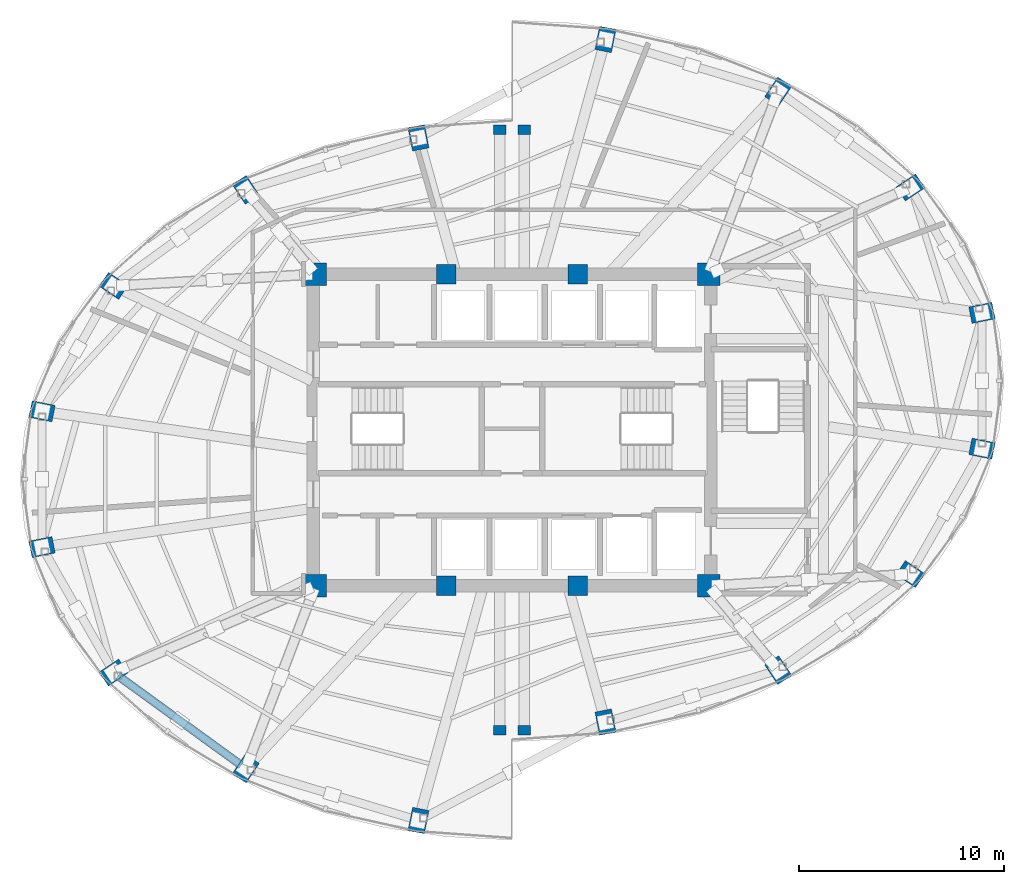
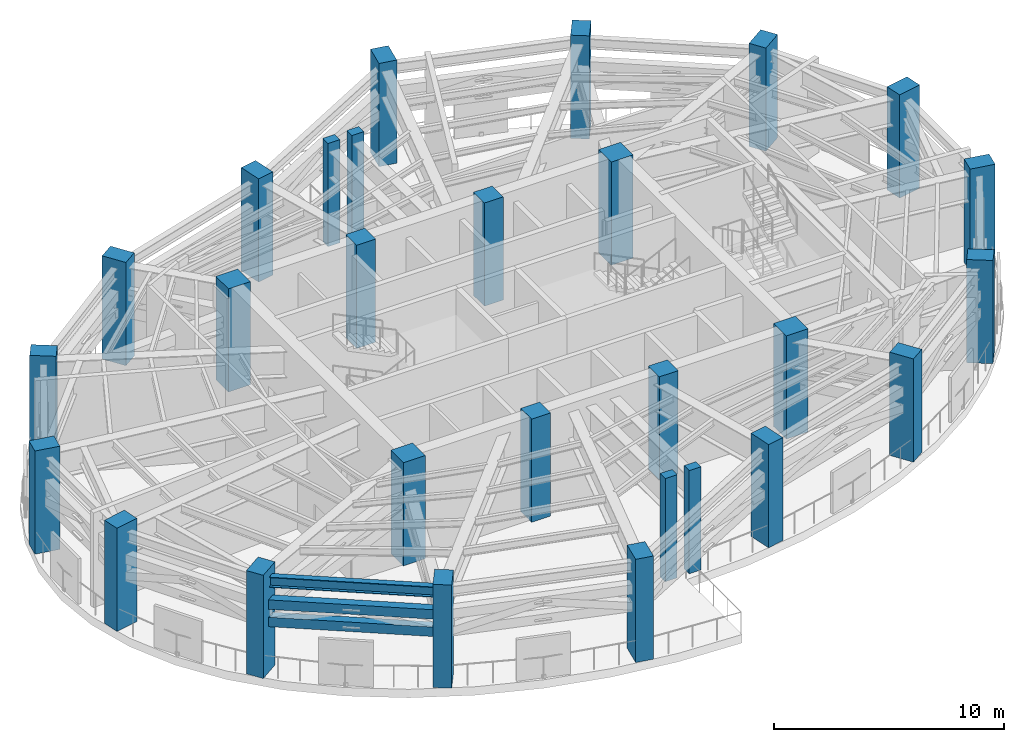
# One storey, part 1 of 12: 28 columns, 2 members, 1 beam.
"""IFC4 building model written with IfcOpenShell, lengths in metres."""

from ifc_helpers import new_model, si_unit, direction, frame, origin, origin_2d, place, context, subcontext, project, spatial, rectangle, hollow_rectangle, i_section, extrude, material, material_profile, profile_set, type_object, element, save


model = new_model("IFC4")

# Units and contexts
model_context = context("Model", 3, precision=1e-05, world=origin(), true_north=direction((0.0, 1.0)))
body_context = subcontext(model_context, "Body", "Model", "MODEL_VIEW")
ifc_project = project(units=[si_unit("LENGTHUNIT", "METRE"), si_unit("AREAUNIT", "SQUARE_METRE"), si_unit("VOLUMEUNIT", "CUBIC_METRE"), si_unit("PLANEANGLEUNIT", "RADIAN"), si_unit("MASSUNIT", "GRAM", prefix="KILO")], contexts=[model_context])

# Site, building, storey
site_placement = place(None, origin())
site = spatial("IfcSite", under=ifc_project, at=site_placement, CompositionType="ELEMENT")
building_placement = place(site_placement, origin())
building = spatial("IfcBuilding", under=site, at=building_placement, Name="Lazwardi Medical Tower", CompositionType="ELEMENT")
storey_placement = place(building_placement, frame((0.0, 0.0, 189.360107421875)))
storey = spatial("IfcBuildingStorey", under=building, at=storey_placement, Name="L49", CompositionType="ELEMENT", Elevation=189.360107421875)

# Columns
ifc_material_1 = material(Name="Concrete C80/95", Category="concrete")
ifc_material_profile_1 = material_profile(ifc_material_1, rectangle(XDim=1.10009765625, YDim=1.10009765625, at=origin_2d()), Name="RC 1100x1100")
ifc_profile_set_1 = profile_set([ifc_material_profile_1], Name="Concrete C80/95")
column_type_1 = type_object("IfcColumnType", Name="COL-CC-L", PredefinedType="COLUMN", material=ifc_profile_set_1)
for number, where, z_axis, x_axis, name in (
    (1, (26.39990234375, 20.39990234375, 0.0), (0.0, 0.0, 1.0), (1.0, 0.0, 0.0), "Core column CC-01 CC1 L49"),
    (2, (45.60009765625, 20.39990234375, 0.0), (0.0, 0.0, 1.0), (1.0, 0.0, 0.0), "Core column CC-01 CC4 L49"),
    (3, (45.60009765625, 35.60009765625, 0.0), (0.0, 0.0, 1.0), (1.0, 0.0, 0.0), "Core column CC-01 CC5 L49"),
    (4, (26.39990234375, 35.60009765625, 0.0), (0.0, 0.0, 1.0), (1.0, 0.0, 0.0), "Core column CC-01 CC8 L49"),
):
    element("IfcColumn", number, at=place(storey_placement, frame(where, z_axis=z_axis, x_axis=x_axis)), inside=storey, type_object=column_type_1, Name=name, PredefinedType="COLUMN", context=body_context, shape_type="SweptSolid", body=[
        extrude(rectangle(XDim=1.10009765625, YDim=1.10009765625, at=origin_2d()), origin(), (0.0, 0.0, 1.0), 5.471923828125),
    ])
ifc_material_2 = material(Name="Concrete C70/85", Category="concrete")
ifc_material_profile_2 = material_profile(ifc_material_2, rectangle(XDim=0.949951171875, YDim=0.949951171875, at=origin_2d()), Name="RC 950x950")
ifc_profile_set_2 = profile_set([ifc_material_profile_2], Name="Concrete C70/85")
column_type_2 = type_object("IfcColumnType", Name="COL-CC-M", PredefinedType="COLUMN", material=ifc_profile_set_2)
for number, where, z_axis, x_axis, name in (
    (5, (32.800048828125, 20.39990234375, 0.0), (0.0, 0.0, 1.0), (1.0, 0.0, 0.0), "Core column CC-02 CC2 L49"),
    (6, (39.199951171875, 20.39990234375, 0.0), (0.0, 0.0, 1.0), (1.0, 0.0, 0.0), "Core column CC-02 CC3 L49"),
    (7, (39.199951171875, 35.60009765625, 0.0), (0.0, 0.0, 1.0), (1.0, 0.0, 0.0), "Core column CC-02 CC6 L49"),
    (8, (32.800048828125, 35.60009765625, 0.0), (0.0, 0.0, 1.0), (1.0, 0.0, 0.0), "Core column CC-02 CC7 L49"),
):
    element("IfcColumn", number, at=place(storey_placement, frame(where, z_axis=z_axis, x_axis=x_axis)), inside=storey, type_object=column_type_2, Name=name, PredefinedType="COLUMN", context=body_context, shape_type="SweptSolid", body=[
        extrude(rectangle(XDim=0.949951171875, YDim=0.949951171875, at=origin_2d()), origin(), (0.0, 0.0, 1.0), 5.471923828125),
    ])
ifc_material_3 = material(Name="Concrete C60/75", Category="concrete")
ifc_material_profile_3 = material_profile(ifc_material_3, rectangle(XDim=1.14990234375, YDim=0.820068359375, at=origin_2d()), Name="CFT-RECT 1150x820")
ifc_profile_set_3 = profile_set([ifc_material_profile_3], Name="Concrete C60/75")
column_type_3 = type_object("IfcColumnType", Name="COL-MC-Z3", PredefinedType="COLUMN", material=ifc_profile_set_3)
for number, where, z_axis, x_axis, name in (
    (9, (40.560302734375, 13.751220703125, 0.0), (0.0, 0.0, 1.0), (0.195090322016, -0.980785280403, 0.0), "Mega column MC-05 M01 L49"),
    (10, (48.986572265625, 16.285888671875, 0.0), (0.0, 0.0, 1.0), (0.55557023302, -0.831469612303, 0.0), "Mega column MC-05 M02 L49"),
    (11, (55.435546875, 20.96923828125, 0.0), (0.0, 0.0, 1.0), (0.831469612303, -0.55557023302, 0.0), "Mega column MC-05 M03 L49"),
    (12, (58.92578125, 27.08837890625, 0.0), (0.0, 0.0, 1.0), (0.980785280403, -0.195090322016, 0.0), "Mega column MC-05 M04 L49"),
    (13, (58.92578125, 33.711669921875, 0.0), (0.0, 0.0, 1.0), (0.980785280403, 0.195090322016, 0.0), "Mega column MC-05 M05 L49"),
    (14, (55.435546875, 39.830810546875, 0.0), (0.0, 0.0, 1.0), (0.831469612303, 0.55557023302, 0.0), "Mega column MC-05 M06 L49"),
    (15, (48.986572265625, 44.51416015625, 0.0), (0.0, 0.0, 1.0), (0.55557023302, 0.831469612303, 0.0), "Mega column MC-05 M07 L49"),
    (16, (40.560302734375, 47.048828125, 0.0), (0.0, 0.0, 1.0), (0.195090322016, 0.980785280403, 0.0), "Mega column MC-05 M08 L49"),
    (17, (31.439697265625, 42.248779296875, 0.0), (0.0, 0.0, 1.0), (-0.195090322016, 0.980785280403, 0.0), "Mega column MC-05 M09 L49"),
    (18, (23.013427734375, 39.714111328125, 0.0), (0.0, 0.0, 1.0), (-0.55557023302, 0.831469612303, 0.0), "Mega column MC-05 M10 L49"),
    (19, (16.564453125, 35.03076171875, 0.0), (0.0, 0.0, 1.0), (-0.831469612303, 0.55557023302, 0.0), "Mega column MC-05 M11 L49"),
    (20, (13.07421875, 28.91162109375, 0.0), (0.0, 0.0, 1.0), (-0.980785280403, 0.195090322016, 0.0), "Mega column MC-05 M12 L49"),
    (21, (13.07421875, 22.288330078125, 0.0), (0.0, 0.0, 1.0), (-0.980785280403, -0.195090322016, 0.0), "Mega column MC-05 M13 L49"),
    (22, (16.564453125, 16.169189453125, 0.0), (0.0, 0.0, 1.0), (-0.831469612303, -0.55557023302, 0.0), "Mega column MC-05 M14 L49"),
    (23, (23.013427734375, 11.48583984375, 0.0), (0.0, 0.0, 1.0), (-0.55557023302, -0.831469612303, 0.0), "Mega column MC-05 M15 L49"),
    (24, (31.439697265625, 8.951171875, 0.0), (0.0, 0.0, 1.0), (-0.195090322016, -0.980785280403, 0.0), "Mega column MC-05 M16 L49"),
):
    element("IfcColumn", number, at=place(storey_placement, frame(where, z_axis=z_axis, x_axis=x_axis)), inside=storey, type_object=column_type_3, Name=name, PredefinedType="COLUMN", context=body_context, shape_type="SweptSolid", body=[
        extrude(rectangle(XDim=1.14990234375, YDim=0.820068359375, at=origin_2d()), origin(), (0.0, 0.0, 1.0), 5.471923828125),
    ])
ifc_material_profile_4 = material_profile(ifc_material_3, rectangle(XDim=0.60009765625, YDim=0.449951171875, at=origin_2d()), Name="RC 600x450")
ifc_profile_set_4 = profile_set([ifc_material_profile_4], Name="Concrete C60/75")
column_type_4 = type_object("IfcColumnType", Name="COL-PL-IW", PredefinedType="PILASTER", material=ifc_profile_set_4)
for number, where, z_axis, x_axis, name in (
    (25, (35.39990234375, 42.64990234375, 0.0), (0.0, 0.0, 1.0), (1.0, 0.0, 0.0), "Iwan pilaster column PL-C1 PL1 L49"),
    (26, (36.60009765625, 42.64990234375, 0.0), (0.0, 0.0, 1.0), (1.0, 0.0, 0.0), "Iwan pilaster column PL-C1 PL2 L49"),
    (27, (35.39990234375, 13.35009765625, 0.0), (0.0, 0.0, 1.0), (1.0, 0.0, 0.0), "Iwan pilaster column PL-C1 PL3 L49"),
    (28, (36.60009765625, 13.35009765625, 0.0), (0.0, 0.0, 1.0), (1.0, 0.0, 0.0), "Iwan pilaster column PL-C1 PL4 L49"),
):
    element("IfcColumn", number, at=place(storey_placement, frame(where, z_axis=z_axis, x_axis=x_axis)), inside=storey, type_object=column_type_4, Name=name, PredefinedType="PILASTER", context=body_context, shape_type="SweptSolid", body=[
        extrude(rectangle(XDim=0.60009765625, YDim=0.449951171875, at=origin_2d()), origin(), (0.0, 0.0, 1.0), 5.471923828125),
    ])

# Beam
ifc_material_4 = material(Name="Steel S355", Category="steel")
ifc_material_profile_5 = material_profile(ifc_material_4, i_section(OverallWidth=0.300048828125, OverallDepth=0.550048828125, WebThickness=0.014892578125, FlangeThickness=0.029052734375, at=origin_2d()), Name="HEB 550")
ifc_profile_set_5 = profile_set([ifc_material_profile_5], Name="Steel S355")
beam_type = type_object("IfcBeamType", Name="BM-RB-Z3", PredefinedType="BEAM", material=ifc_profile_set_5)
beam_placement = place(storey_placement, frame((16.88818359375, 15.93408203125, 4.746826171875), z_axis=(0.809127570774, -0.587633026824, 0.0), x_axis=(0.587633026824, 0.809127570774, 0.0)))
element("IfcBeam", 29, at=beam_placement, inside=storey, type_object=beam_type, Name="Ring beam RB-04 B14 L49", PredefinedType="BEAM", context=body_context, shape_type="SweptSolid", body=[
    extrude(i_section(OverallWidth=0.300048828125, OverallDepth=0.550048828125, WebThickness=0.014892578125, FlangeThickness=0.029052734375, at=origin_2d()), origin(), (0.0, 0.0, 1.0), 7.170166015625),
])

# Members
ifc_material_5 = material(Name="Steel S460", Category="steel")
ifc_material_profile_6 = material_profile(ifc_material_5, hollow_rectangle(XDim=0.39990234375, YDim=0.5, WallThickness=0.02490234375, at=origin_2d()), Name="RHS 500x400x25")
ifc_profile_set_6 = profile_set([ifc_material_profile_6], Name="Steel S460")
member_type = type_object("IfcMemberType", Name="MEM-BC-01", PredefinedType="CHORD", material=ifc_profile_set_6)
for number, where, z_axis, x_axis, name in (
    (30, (16.782958984375, 16.010498046875, 2.679931640625), (0.80914369212, -0.587610828272, 0.0), (0.587610828272, 0.80914369212, 0.0), "Belt truss bottom chord BC-01 B14 L49"),
    (31, (16.782958984375, 16.010498046875, 3.599853515625), (0.80914369212, -0.587610828272, 0.0), (0.587610828272, 0.80914369212, 0.0), "Belt truss top chord BC-01 B14 L49"),
):
    element("IfcMember", number, at=place(storey_placement, frame(where, z_axis=z_axis, x_axis=x_axis)), inside=storey, type_object=member_type, Name=name, PredefinedType="CHORD", context=body_context, shape_type="SweptSolid", body=[
        extrude(hollow_rectangle(XDim=0.39990234375, YDim=0.5, WallThickness=0.02490234375, at=origin_2d()), origin(), (0.0, 0.0, 1.0), 7.429931640625),
    ])

save(model, "model.ifc")
